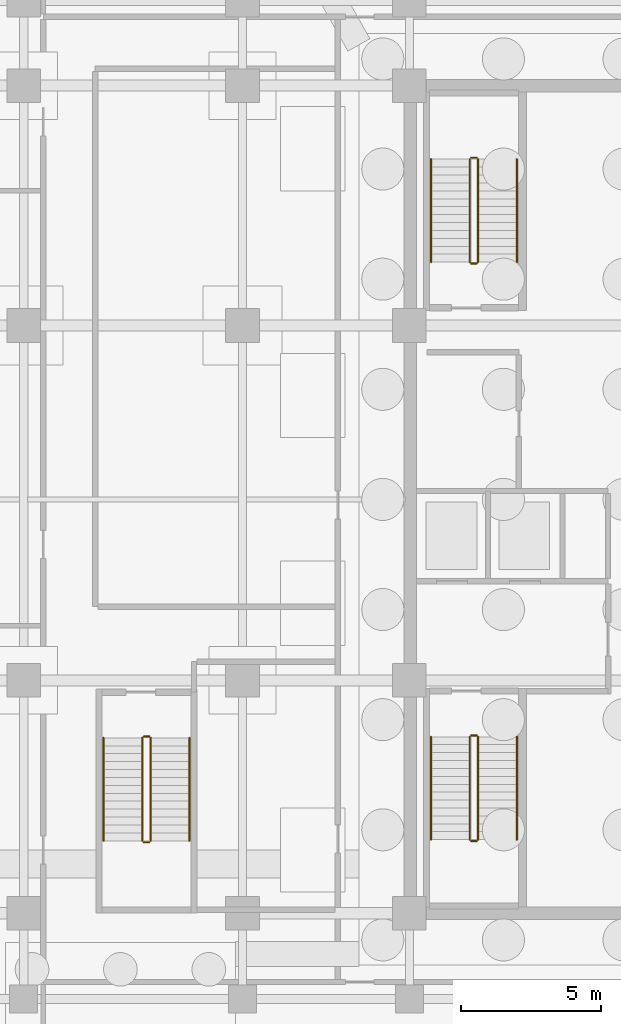
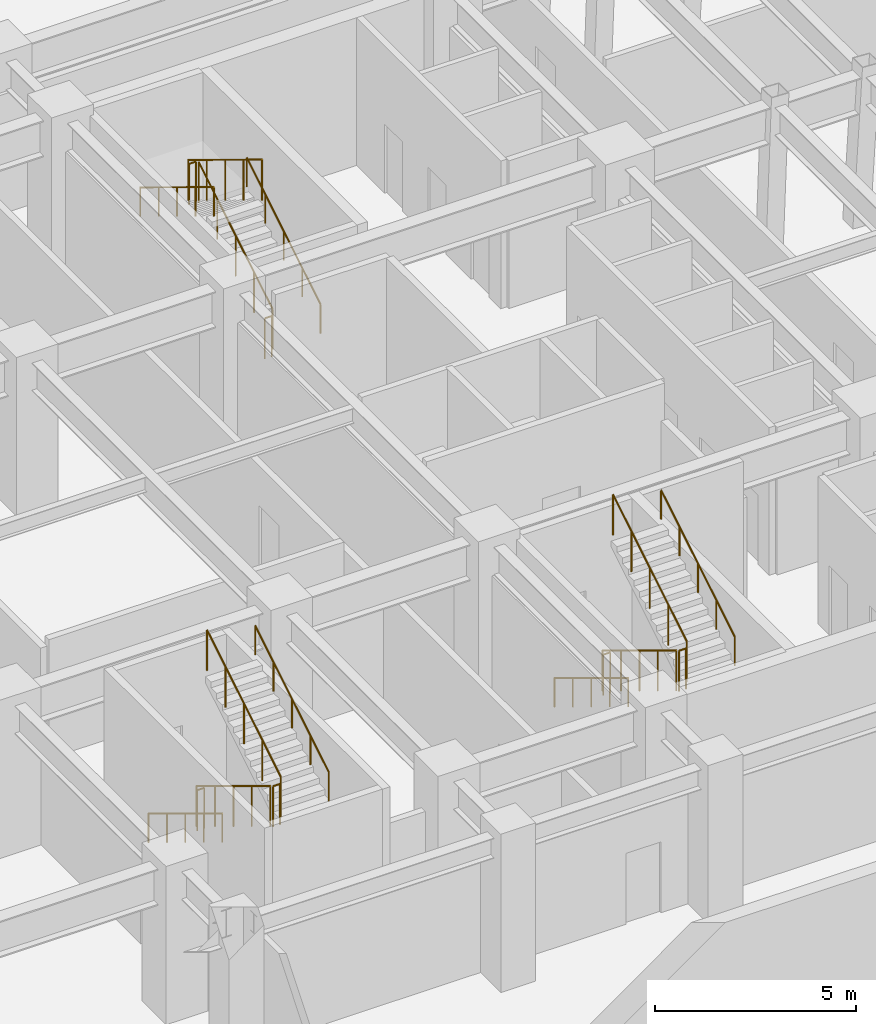
# One storey, part 12 of 13: 18 railings.
"""IFC4 building model written with IfcOpenShell, lengths in metres."""

import ifcopenshell
import ifcopenshell.guid

model = None  # the IFC model being written
_history = None  # IfcOwnerHistory: only IFC2X3 demands one
_inside = {}  # id of a spatial element -> (the spatial element, [elements in it])
_under = {}  # id of a project, library or spatial element -> (it, [spatial elements below it])
_declared = {}  # id of a project -> (the project, [libraries it declares])
_typed = {}  # id of a type object -> (the type object, [elements of that type])
_made_of = {}  # id of a material, layer set ... -> (it, [elements and type objects made of it])


def new_model(schema):
    """Start an empty IFC model of exactly this schema.

    Asked for "IFC4X3", IfcOpenShell would pick the latest addendum, in which some entities
    have other attributes; the version numbers below select the first issue.
    IFC2X3 requires an IfcOwnerHistory on every rooted entity: one is made here for all.
    """
    global model, _history
    if schema == "IFC4X3":
        model = ifcopenshell.file(schema_version=(4, 3, 0, 0))
    else:
        model = ifcopenshell.file(schema=schema)
    _inside.clear()
    _under.clear()
    _declared.clear()
    _typed.clear()
    _made_of.clear()
    _history = None
    if model.schema == "IFC2X3":
        org = make("IfcOrganization", Name="unknown")
        user = make(
            "IfcPersonAndOrganization",
            ThePerson=make("IfcPerson", FamilyName="unknown"),
            TheOrganization=org,
        )
        app = make(
            "IfcApplication",
            ApplicationDeveloper=org,
            Version="unknown",
            ApplicationFullName="unknown",
            ApplicationIdentifier="unknown",
        )
        _history = make(
            "IfcOwnerHistory",
            OwningUser=user,
            OwningApplication=app,
            ChangeAction="ADDED",
            CreationDate=0,
        )
    return model


def make(cls, **values):
    """One entity of the class cls with the attributes given. An attribute that is None is left unset."""
    return model.create_entity(
        cls, **{name: value for name, value in values.items() if value is not None}
    )


def rooted(cls, **values):
    """An entity with a GlobalId (a new one), such as an element, a storey or a relation."""
    return make(cls, GlobalId=ifcopenshell.guid.new(), OwnerHistory=_history, **values)


def si_unit(unit_type, name, prefix=None):
    """IfcSIUnit, for example si_unit("LENGTHUNIT", "METRE", prefix="MILLI")."""
    return make("IfcSIUnit", UnitType=unit_type, Prefix=prefix, Name=name)


def assignment(units):
    """IfcUnitAssignment: the units of a project."""
    return None if units is None else make("IfcUnitAssignment", Units=units)


def point(xyz):
    """IfcCartesianPoint."""
    return None if xyz is None else make("IfcCartesianPoint", Coordinates=xyz)


def direction(xyz):
    """IfcDirection."""
    return None if xyz is None else make("IfcDirection", DirectionRatios=xyz)


def frame(location, z_axis=None, x_axis=None):
    """IfcAxis2Placement3D, a coordinate frame: its origin and axes. An axis left out is left unset."""
    return make(
        "IfcAxis2Placement3D",
        Location=point(location),
        Axis=direction(z_axis),
        RefDirection=direction(x_axis),
    )


def frame_2d(location, x_axis=None):
    """IfcAxis2Placement2D, a coordinate frame in the plane: its origin and x axis."""
    return make(
        "IfcAxis2Placement2D", Location=point(location), RefDirection=direction(x_axis)
    )


def origin():
    """The frame at (0, 0, 0) with its axes left unset."""
    return frame((0.0, 0.0, 0.0))


def origin_2d():
    """The frame at (0, 0) in the plane with its x axis left unset."""
    return frame_2d((0.0, 0.0))


def place(relative_to, where):
    """IfcLocalPlacement: puts the frame where relative to a parent placement (None: the world)."""
    return make(
        "IfcLocalPlacement", PlacementRelTo=relative_to, RelativePlacement=where
    )


def context(
    kind, dimensions, precision=None, world=None, true_north=None, identifier=None
):
    """IfcGeometricRepresentationContext, for example the 3D "Model" context."""
    return make(
        "IfcGeometricRepresentationContext",
        ContextIdentifier=identifier,
        ContextType=kind,
        CoordinateSpaceDimension=dimensions,
        Precision=precision,
        WorldCoordinateSystem=world,
        TrueNorth=true_north,
    )


def subcontext(parent, identifier, kind, view, scale=None):
    """IfcGeometricRepresentationSubContext, for example "Body" below "Model"."""
    return make(
        "IfcGeometricRepresentationSubContext",
        ContextIdentifier=identifier,
        ContextType=kind,
        ParentContext=parent,
        TargetScale=scale,
        TargetView=view,
    )


def project(units=None, contexts=None):
    """IfcProject with its units and contexts."""
    return rooted(
        "IfcProject",
        Name="project",
        RepresentationContexts=contexts,
        UnitsInContext=assignment(units),
    )


def spatial(cls, under=None, at=None, **own):
    """A site, building, storey or space (cls), placed at a placement, below another one or the project."""
    s = rooted(cls, ObjectPlacement=at, **own)
    if under is not None:
        _under.setdefault(under.id(), (under, []))[1].append(s)
    return s


def profile(cls, at=None, kind="AREA", **sizes):
    """A parametric profile (cls). Its sizes go by their IFC names, for example OverallWidth=200.0."""
    return make(cls, ProfileType=kind, Position=at, **sizes)


def circle(**sizes):
    """IfcCircleProfileDef."""
    return profile("IfcCircleProfileDef", **sizes)


def extrude(swept, where, along, depth):
    """IfcExtrudedAreaSolid: the profile swept, set in the frame where, extruded along a direction by depth."""
    return make(
        "IfcExtrudedAreaSolid",
        SweptArea=swept,
        Position=where,
        ExtrudedDirection=direction(along),
        Depth=depth,
    )


def shape(context_of_items, identifier, shape_type, items):
    """IfcShapeRepresentation: the items that make up one representation, for example the "Body"."""
    return make(
        "IfcShapeRepresentation",
        ContextOfItems=context_of_items,
        RepresentationIdentifier=identifier,
        RepresentationType=shape_type,
        Items=items,
    )


def material(Name=None, Category=None):
    """IfcMaterial."""
    return make("IfcMaterial", Name=Name, Category=Category)


def made_of(thing, what):
    """Note that an element or type object is made of a material, layer set ...; save() writes the relation."""
    if what is not None:
        _made_of.setdefault(what.id(), (what, []))[1].append(thing)
    return thing


def type_object(cls, material=None, **own):
    """A type object (cls), such as IfcWallType, which elements share."""
    return made_of(rooted(cls, **own), material)


def element(
    cls,
    number,
    at=None,
    inside=None,
    cuts=None,
    type_object=None,
    material=None,
    context=None,
    identifier="Body",
    shape_type=None,
    held_by="IfcProductDefinitionShape",
    body=None,
    shapes=None,
    **own,
):
    """One element of the class cls, such as IfcWall. Its Tag is "e" and its number.

    at: its placement. inside: the storey or other place that contains it. cuts: it is an
    opening in that element (IfcRelVoidsElement). A single representation is given by context,
    identifier, shape_type and body (its items); several are given by shapes. held_by: the class
    of the entity that holds the representations. save() writes the other relations.
    """
    e = rooted(cls, Tag="e%d" % number, ObjectPlacement=at, **own)
    if body is not None:
        shapes = [shape(context, identifier, shape_type, body)]
    if shapes is not None:
        e.Representation = make(held_by, Representations=shapes)
    if inside is not None:
        _inside.setdefault(inside.id(), (inside, []))[1].append(e)
    if cuts is not None:
        rooted(
            "IfcRelVoidsElement", RelatingBuildingElement=cuts, RelatedOpeningElement=e
        )
    if type_object is not None:
        _typed.setdefault(type_object.id(), (type_object, []))[1].append(e)
    return made_of(e, material)


def aggregate(whole, parts):
    """IfcRelAggregates: a whole, such as a stair, and the parts it consists of."""
    return rooted("IfcRelAggregates", RelatingObject=whole, RelatedObjects=parts)


def save(model, path):
    """Write the relations noted so far, then the file.

    IfcRelAggregates (storeys below a building ...), IfcRelContainedInSpatialStructure (elements
    in a storey), IfcRelDefinesByType, IfcRelAssociatesMaterial and IfcRelDeclares: one each for
    every whole, place, type object, material and project.
    """
    for whole, parts in _under.values():
        aggregate(whole, parts)
    for where, things in _inside.values():
        rooted(
            "IfcRelContainedInSpatialStructure",
            RelatedElements=things,
            RelatingStructure=where,
        )
    for kind, things in _typed.values():
        rooted("IfcRelDefinesByType", RelatedObjects=things, RelatingType=kind)
    for what, things in _made_of.values():
        rooted("IfcRelAssociatesMaterial", RelatedObjects=things, RelatingMaterial=what)
    for by, libraries in _declared.values():
        rooted("IfcRelDeclares", RelatingContext=by, RelatedDefinitions=libraries)
    model.write(path)


model = new_model("IFC4")

# Units and contexts
model_context = context("Model", 3, precision=1e-05, world=origin(), true_north=direction((0.0, 1.0)))
body_context = subcontext(model_context, "Body", "Model", "MODEL_VIEW")
ifc_project = project(units=[si_unit("LENGTHUNIT", "METRE"), si_unit("AREAUNIT", "SQUARE_METRE"), si_unit("VOLUMEUNIT", "CUBIC_METRE"), si_unit("PLANEANGLEUNIT", "RADIAN"), si_unit("MASSUNIT", "GRAM", prefix="KILO")], contexts=[model_context])

# Site, building, storey
site_placement = place(None, origin())
site = spatial("IfcSite", under=ifc_project, at=site_placement, CompositionType="ELEMENT")
building_placement = place(site_placement, origin())
building = spatial("IfcBuilding", under=site, at=building_placement, Name="Ochreholt Gables", CompositionType="ELEMENT")
storey_placement = place(building_placement, frame((0.0, 0.0, -9.60009765625)))
storey = spatial("IfcBuildingStorey", under=building, at=storey_placement, Name="B2", CompositionType="ELEMENT", Elevation=-9.60009765625)

# Railings
ifc_material_1 = material(Name="Painted Steel Stair Guardrail", Category="steel")
railing_type_1 = type_object("IfcRailingType", Name="RL-ST-GUARD", PredefinedType="GUARDRAIL", material=ifc_material_1)
railing_1_placement = place(storey_placement, frame((26.35009765625, 15.5400390625, 0.171630859375)))
element("IfcRailing", 1, at=railing_1_placement, inside=storey, type_object=railing_type_1, Name="B2 ST-1 stair guard 1", PredefinedType="GUARDRAIL", context=body_context, shape_type="SweptSolid", body=[
    extrude(circle(Radius=0.02392578125, at=origin_2d()), frame((0.0, 0.0, 1.22607421875), z_axis=(0.0, -0.85450609292, 0.519441370283), x_axis=(1.0, 0.0, 0.0)), (0.0, 0.0, 1.0), 4.290283203125),
    extrude(circle(Radius=0.02099609375, at=origin_2d()), origin(), (0.0, 0.0, 1.0), 1.201904296875),
    extrude(circle(Radius=0.02099609375, at=origin_2d()), frame((0.0, -0.91650390625, 0.55712890625)), (0.0, 0.0, 1.0), 1.201904296875),
    extrude(circle(Radius=0.02099609375, at=origin_2d()), frame((0.0, -1.8330078125, 1.1142578125)), (0.0, 0.0, 1.0), 1.201904296875),
    extrude(circle(Radius=0.02099609375, at=origin_2d()), frame((0.0, -2.74951171875, 1.67138671875)), (0.0, 0.0, 1.0), 1.201904296875),
    extrude(circle(Radius=0.02099609375, at=origin_2d()), frame((0.0, -3.666015625, 2.228515625)), (0.0, 0.0, 1.0), 1.201904296875),
])
railing_2_placement = place(storey_placement, frame((26.39990234375, 11.823974609375, 2.400146484375)))
element("IfcRailing", 2, at=railing_2_placement, inside=storey, type_object=railing_type_1, Name="B2 ST-1 stair guard 2", PredefinedType="GUARDRAIL", context=body_context, shape_type="SweptSolid", body=[
    extrude(circle(Radius=0.02392578125, at=origin_2d()), frame((0.0, 0.0, 1.22607421875), z_axis=(1.0, 0.0, 0.0), x_axis=(0.0, 1.0, 0.0)), (0.0, 0.0, 1.0), 0.2001953125),
    extrude(circle(Radius=0.02099609375, at=origin_2d()), origin(), (0.0, 0.0, 1.0), 1.201904296875),
    extrude(circle(Radius=0.02099609375, at=origin_2d()), frame((0.2001953125, 0.0, 0.0)), (0.0, 0.0, 1.0), 1.201904296875),
])
railing_3_placement = place(storey_placement, frame((26.64990234375, 11.8740234375, 2.571533203125)))
element("IfcRailing", 3, at=railing_3_placement, inside=storey, type_object=railing_type_1, Name="B2 ST-1 stair guard 3", PredefinedType="GUARDRAIL", context=body_context, shape_type="SweptSolid", body=[
    extrude(circle(Radius=0.02392578125, at=origin_2d()), frame((0.0, 0.0, 1.22607421875), z_axis=(0.0, 0.85450609292, 0.519441370283), x_axis=(-1.0, 0.0, 0.0)), (0.0, 0.0, 1.0), 4.290283203125),
    extrude(circle(Radius=0.02099609375, at=origin_2d()), origin(), (0.0, 0.0, 1.0), 1.201904296875),
    extrude(circle(Radius=0.02099609375, at=origin_2d()), frame((0.0, 0.91650390625, 0.55712890625)), (0.0, 0.0, 1.0), 1.201904296875),
    extrude(circle(Radius=0.02099609375, at=origin_2d()), frame((0.0, 1.8330078125, 1.1142578125)), (0.0, 0.0, 1.0), 1.201904296875),
    extrude(circle(Radius=0.02099609375, at=origin_2d()), frame((0.0, 2.74951171875, 1.67138671875)), (0.0, 0.0, 1.0), 1.201904296875),
    extrude(circle(Radius=0.02099609375, at=origin_2d()), frame((0.0, 3.666015625, 2.228515625)), (0.0, 0.0, 1.0), 1.201904296875),
])
railing_4_placement = place(storey_placement, frame((26.39990234375, 15.590087890625, 0.0)))
element("IfcRailing", 4, at=railing_4_placement, inside=storey, type_object=railing_type_1, Name="B2 ST-1 stair guard 4", PredefinedType="GUARDRAIL", context=body_context, shape_type="SweptSolid", body=[
    extrude(circle(Radius=0.02392578125, at=origin_2d()), frame((0.0, 0.0, 1.22607421875), z_axis=(1.0, 0.0, 0.0), x_axis=(0.0, 1.0, 0.0)), (0.0, 0.0, 1.0), 0.2001953125),
    extrude(circle(Radius=0.02099609375, at=origin_2d()), origin(), (0.0, 0.0, 1.0), 1.201904296875),
    extrude(circle(Radius=0.02099609375, at=origin_2d()), frame((0.2001953125, 0.0, 0.0)), (0.0, 0.0, 1.0), 1.201904296875),
])
railing_5_placement = place(storey_placement, frame((26.64990234375, 32.4599609375, 0.171630859375)))
element("IfcRailing", 5, at=railing_5_placement, inside=storey, type_object=railing_type_1, Name="B2 ST-2 stair guard 1", PredefinedType="GUARDRAIL", context=body_context, shape_type="SweptSolid", body=[
    extrude(circle(Radius=0.02392578125, at=origin_2d()), frame((0.0, 0.0, 1.22607421875), z_axis=(0.0, 0.85450609292, 0.519441370283), x_axis=(-1.0, 0.0, 0.0)), (0.0, 0.0, 1.0), 4.290283203125),
    extrude(circle(Radius=0.02099609375, at=origin_2d()), origin(), (0.0, 0.0, 1.0), 1.201904296875),
    extrude(circle(Radius=0.02099609375, at=origin_2d()), frame((0.0, 0.91650390625, 0.55712890625)), (0.0, 0.0, 1.0), 1.201904296875),
    extrude(circle(Radius=0.02099609375, at=origin_2d()), frame((0.0, 1.8330078125, 1.1142578125)), (0.0, 0.0, 1.0), 1.201904296875),
    extrude(circle(Radius=0.02099609375, at=origin_2d()), frame((0.0, 2.74951171875, 1.67138671875)), (0.0, 0.0, 1.0), 1.201904296875),
    extrude(circle(Radius=0.02099609375, at=origin_2d()), frame((0.0, 3.666015625, 2.228515625)), (0.0, 0.0, 1.0), 1.201904296875),
])
railing_6_placement = place(storey_placement, frame((26.60009765625, 36.176025390625, 2.400146484375)))
element("IfcRailing", 6, at=railing_6_placement, inside=storey, type_object=railing_type_1, Name="B2 ST-2 stair guard 2", PredefinedType="GUARDRAIL", context=body_context, shape_type="SweptSolid", body=[
    extrude(circle(Radius=0.02392578125, at=origin_2d()), frame((0.0, 0.0, 1.22607421875), z_axis=(-1.0, 0.0, 0.0), x_axis=(0.0, -1.0, 0.0)), (0.0, 0.0, 1.0), 0.2001953125),
    extrude(circle(Radius=0.02099609375, at=origin_2d()), origin(), (0.0, 0.0, 1.0), 1.201904296875),
    extrude(circle(Radius=0.02099609375, at=origin_2d()), frame((-0.2001953125, 0.0, 0.0)), (0.0, 0.0, 1.0), 1.201904296875),
])
railing_7_placement = place(storey_placement, frame((26.35009765625, 36.1259765625, 2.571533203125)))
element("IfcRailing", 7, at=railing_7_placement, inside=storey, type_object=railing_type_1, Name="B2 ST-2 stair guard 3", PredefinedType="GUARDRAIL", context=body_context, shape_type="SweptSolid", body=[
    extrude(circle(Radius=0.02392578125, at=origin_2d()), frame((0.0, 0.0, 1.22607421875), z_axis=(0.0, -0.85450609292, 0.519441370283), x_axis=(1.0, 0.0, 0.0)), (0.0, 0.0, 1.0), 4.290283203125),
    extrude(circle(Radius=0.02099609375, at=origin_2d()), origin(), (0.0, 0.0, 1.0), 1.201904296875),
    extrude(circle(Radius=0.02099609375, at=origin_2d()), frame((0.0, -0.91650390625, 0.55712890625)), (0.0, 0.0, 1.0), 1.201904296875),
    extrude(circle(Radius=0.02099609375, at=origin_2d()), frame((0.0, -1.8330078125, 1.1142578125)), (0.0, 0.0, 1.0), 1.201904296875),
    extrude(circle(Radius=0.02099609375, at=origin_2d()), frame((0.0, -2.74951171875, 1.67138671875)), (0.0, 0.0, 1.0), 1.201904296875),
    extrude(circle(Radius=0.02099609375, at=origin_2d()), frame((0.0, -3.666015625, 2.228515625)), (0.0, 0.0, 1.0), 1.201904296875),
])
railing_8_placement = place(storey_placement, frame((26.60009765625, 32.409912109375, 0.0)))
element("IfcRailing", 8, at=railing_8_placement, inside=storey, type_object=railing_type_1, Name="B2 ST-2 stair guard 4", PredefinedType="GUARDRAIL", context=body_context, shape_type="SweptSolid", body=[
    extrude(circle(Radius=0.02392578125, at=origin_2d()), frame((0.0, 0.0, 1.22607421875), z_axis=(-1.0, 0.0, 0.0), x_axis=(0.0, -1.0, 0.0)), (0.0, 0.0, 1.0), 0.2001953125),
    extrude(circle(Radius=0.02099609375, at=origin_2d()), origin(), (0.0, 0.0, 1.0), 1.201904296875),
    extrude(circle(Radius=0.02099609375, at=origin_2d()), frame((-0.2001953125, 0.0, 0.0)), (0.0, 0.0, 1.0), 1.201904296875),
])
railing_9_placement = place(storey_placement, frame((14.679931640625, 15.5, 0.171630859375)))
element("IfcRailing", 9, at=railing_9_placement, inside=storey, type_object=railing_type_1, Name="B2 ST-P1 stair guard 1", PredefinedType="GUARDRAIL", context=body_context, shape_type="SweptSolid", body=[
    extrude(circle(Radius=0.02392578125, at=origin_2d()), frame((0.0, 0.0, 1.22607421875), z_axis=(0.0, -0.85450609292, 0.519441370283), x_axis=(1.0, 0.0, 0.0)), (0.0, 0.0, 1.0), 4.290283203125),
    extrude(circle(Radius=0.02099609375, at=origin_2d()), origin(), (0.0, 0.0, 1.0), 1.201904296875),
    extrude(circle(Radius=0.02099609375, at=origin_2d()), frame((0.0, -0.91650390625, 0.55712890625)), (0.0, 0.0, 1.0), 1.201904296875),
    extrude(circle(Radius=0.02099609375, at=origin_2d()), frame((0.0, -1.8330078125, 1.1142578125)), (0.0, 0.0, 1.0), 1.201904296875),
    extrude(circle(Radius=0.02099609375, at=origin_2d()), frame((0.0, -2.74951171875, 1.67138671875)), (0.0, 0.0, 1.0), 1.201904296875),
    extrude(circle(Radius=0.02099609375, at=origin_2d()), frame((0.0, -3.666015625, 2.228515625)), (0.0, 0.0, 1.0), 1.201904296875),
])
railing_10_placement = place(storey_placement, frame((14.72998046875, 11.783935546875, 2.400146484375)))
element("IfcRailing", 10, at=railing_10_placement, inside=storey, type_object=railing_type_1, Name="B2 ST-P1 stair guard 2", PredefinedType="GUARDRAIL", context=body_context, shape_type="SweptSolid", body=[
    extrude(circle(Radius=0.02392578125, at=origin_2d()), frame((0.0, 0.0, 1.22607421875), z_axis=(1.0, 0.0, 0.0), x_axis=(0.0, 1.0, 0.0)), (0.0, 0.0, 1.0), 0.199951171875),
    extrude(circle(Radius=0.02099609375, at=origin_2d()), origin(), (0.0, 0.0, 1.0), 1.201904296875),
    extrude(circle(Radius=0.02099609375, at=origin_2d()), frame((0.199951171875, 0.0, 0.0)), (0.0, 0.0, 1.0), 1.201904296875),
])
railing_11_placement = place(storey_placement, frame((14.97998046875, 11.833984375, 2.571533203125)))
element("IfcRailing", 11, at=railing_11_placement, inside=storey, type_object=railing_type_1, Name="B2 ST-P1 stair guard 3", PredefinedType="GUARDRAIL", context=body_context, shape_type="SweptSolid", body=[
    extrude(circle(Radius=0.02392578125, at=origin_2d()), frame((0.0, 0.0, 1.22607421875), z_axis=(0.0, 0.85450609292, 0.519441370283), x_axis=(-1.0, 0.0, 0.0)), (0.0, 0.0, 1.0), 4.290283203125),
    extrude(circle(Radius=0.02099609375, at=origin_2d()), origin(), (0.0, 0.0, 1.0), 1.201904296875),
    extrude(circle(Radius=0.02099609375, at=origin_2d()), frame((0.0, 0.91650390625, 0.55712890625)), (0.0, 0.0, 1.0), 1.201904296875),
    extrude(circle(Radius=0.02099609375, at=origin_2d()), frame((0.0, 1.8330078125, 1.1142578125)), (0.0, 0.0, 1.0), 1.201904296875),
    extrude(circle(Radius=0.02099609375, at=origin_2d()), frame((0.0, 2.74951171875, 1.67138671875)), (0.0, 0.0, 1.0), 1.201904296875),
    extrude(circle(Radius=0.02099609375, at=origin_2d()), frame((0.0, 3.666015625, 2.228515625)), (0.0, 0.0, 1.0), 1.201904296875),
])
railing_12_placement = place(storey_placement, frame((14.72998046875, 15.550048828125, 0.0)))
element("IfcRailing", 12, at=railing_12_placement, inside=storey, type_object=railing_type_1, Name="B2 ST-P1 stair guard 4", PredefinedType="GUARDRAIL", context=body_context, shape_type="SweptSolid", body=[
    extrude(circle(Radius=0.02392578125, at=origin_2d()), frame((0.0, 0.0, 1.22607421875), z_axis=(1.0, 0.0, 0.0), x_axis=(0.0, 1.0, 0.0)), (0.0, 0.0, 1.0), 0.199951171875),
    extrude(circle(Radius=0.02099609375, at=origin_2d()), origin(), (0.0, 0.0, 1.0), 1.201904296875),
    extrude(circle(Radius=0.02099609375, at=origin_2d()), frame((0.199951171875, 0.0, 0.0)), (0.0, 0.0, 1.0), 1.201904296875),
])
ifc_material_2 = material(Name="Brushed Stainless Steel Wall Handrail", Category="steel")
railing_type_2 = type_object("IfcRailingType", Name="RL-ST-HAND", PredefinedType="HANDRAIL", material=ifc_material_2)
railing_13_placement = place(storey_placement, frame((24.969970703125, 15.5400390625, 0.171630859375)))
element("IfcRailing", 13, at=railing_13_placement, inside=storey, type_object=railing_type_2, Name="B2 ST-1 stair handrail 1", PredefinedType="HANDRAIL", context=body_context, shape_type="SweptSolid", body=[
    extrude(circle(Radius=0.02392578125, at=origin_2d()), frame((0.0, 0.0, 0.8759765625), z_axis=(0.0, -0.85450609292, 0.519441370283), x_axis=(1.0, 0.0, 0.0)), (0.0, 0.0, 1.0), 4.290283203125),
    extrude(circle(Radius=0.02099609375, at=origin_2d()), origin(), (0.0, 0.0, 1.0), 0.851806640625),
    extrude(circle(Radius=0.02099609375, at=origin_2d()), frame((0.0, -0.91650390625, 0.55712890625)), (0.0, 0.0, 1.0), 0.851806640625),
    extrude(circle(Radius=0.02099609375, at=origin_2d()), frame((0.0, -1.8330078125, 1.1142578125)), (0.0, 0.0, 1.0), 0.851806640625),
    extrude(circle(Radius=0.02099609375, at=origin_2d()), frame((0.0, -2.74951171875, 1.67138671875)), (0.0, 0.0, 1.0), 0.851806640625),
    extrude(circle(Radius=0.02099609375, at=origin_2d()), frame((0.0, -3.666015625, 2.228515625)), (0.0, 0.0, 1.0), 0.851806640625),
])
for number, where, name in (
    (14, (28.030029296875, 11.8740234375, 2.571533203125), "B2 ST-1 stair handrail 2"),
    (15, (28.030029296875, 32.4599609375, 0.171630859375), "B2 ST-2 stair handrail 1"),
):
    element("IfcRailing", number, at=place(storey_placement, frame(where)), inside=storey, type_object=railing_type_2, Name=name, PredefinedType="HANDRAIL", context=body_context, shape_type="SweptSolid", body=[
        extrude(circle(Radius=0.02392578125, at=origin_2d()), frame((0.0, 0.0, 0.8759765625), z_axis=(0.0, 0.85450609292, 0.519441370283), x_axis=(-1.0, 0.0, 0.0)), (0.0, 0.0, 1.0), 4.290283203125),
        extrude(circle(Radius=0.02099609375, at=origin_2d()), origin(), (0.0, 0.0, 1.0), 0.851806640625),
        extrude(circle(Radius=0.02099609375, at=origin_2d()), frame((0.0, 0.91650390625, 0.55712890625)), (0.0, 0.0, 1.0), 0.851806640625),
        extrude(circle(Radius=0.02099609375, at=origin_2d()), frame((0.0, 1.8330078125, 1.1142578125)), (0.0, 0.0, 1.0), 0.851806640625),
        extrude(circle(Radius=0.02099609375, at=origin_2d()), frame((0.0, 2.74951171875, 1.67138671875)), (0.0, 0.0, 1.0), 0.851806640625),
        extrude(circle(Radius=0.02099609375, at=origin_2d()), frame((0.0, 3.666015625, 2.228515625)), (0.0, 0.0, 1.0), 0.851806640625),
    ])
for number, where, name in (
    (16, (24.969970703125, 36.1259765625, 2.571533203125), "B2 ST-2 stair handrail 2"),
    (17, (13.300048828125, 15.5, 0.171630859375), "B2 ST-P1 stair handrail 1"),
):
    element("IfcRailing", number, at=place(storey_placement, frame(where)), inside=storey, type_object=railing_type_2, Name=name, PredefinedType="HANDRAIL", context=body_context, shape_type="SweptSolid", body=[
        extrude(circle(Radius=0.02392578125, at=origin_2d()), frame((0.0, 0.0, 0.8759765625), z_axis=(0.0, -0.85450609292, 0.519441370283), x_axis=(1.0, 0.0, 0.0)), (0.0, 0.0, 1.0), 4.290283203125),
        extrude(circle(Radius=0.02099609375, at=origin_2d()), origin(), (0.0, 0.0, 1.0), 0.851806640625),
        extrude(circle(Radius=0.02099609375, at=origin_2d()), frame((0.0, -0.91650390625, 0.55712890625)), (0.0, 0.0, 1.0), 0.851806640625),
        extrude(circle(Radius=0.02099609375, at=origin_2d()), frame((0.0, -1.8330078125, 1.1142578125)), (0.0, 0.0, 1.0), 0.851806640625),
        extrude(circle(Radius=0.02099609375, at=origin_2d()), frame((0.0, -2.74951171875, 1.67138671875)), (0.0, 0.0, 1.0), 0.851806640625),
        extrude(circle(Radius=0.02099609375, at=origin_2d()), frame((0.0, -3.666015625, 2.228515625)), (0.0, 0.0, 1.0), 0.851806640625),
    ])
railing_14_placement = place(storey_placement, frame((16.360107421875, 11.833984375, 2.571533203125)))
element("IfcRailing", 18, at=railing_14_placement, inside=storey, type_object=railing_type_2, Name="B2 ST-P1 stair handrail 2", PredefinedType="HANDRAIL", context=body_context, shape_type="SweptSolid", body=[
    extrude(circle(Radius=0.02392578125, at=origin_2d()), frame((0.0, 0.0, 0.8759765625), z_axis=(0.0, 0.85450609292, 0.519441370283), x_axis=(-1.0, 0.0, 0.0)), (0.0, 0.0, 1.0), 4.290283203125),
    extrude(circle(Radius=0.02099609375, at=origin_2d()), origin(), (0.0, 0.0, 1.0), 0.851806640625),
    extrude(circle(Radius=0.02099609375, at=origin_2d()), frame((0.0, 0.91650390625, 0.55712890625)), (0.0, 0.0, 1.0), 0.851806640625),
    extrude(circle(Radius=0.02099609375, at=origin_2d()), frame((0.0, 1.8330078125, 1.1142578125)), (0.0, 0.0, 1.0), 0.851806640625),
    extrude(circle(Radius=0.02099609375, at=origin_2d()), frame((0.0, 2.74951171875, 1.67138671875)), (0.0, 0.0, 1.0), 0.851806640625),
    extrude(circle(Radius=0.02099609375, at=origin_2d()), frame((0.0, 3.666015625, 2.228515625)), (0.0, 0.0, 1.0), 0.851806640625),
])

save(model, "model.ifc")
